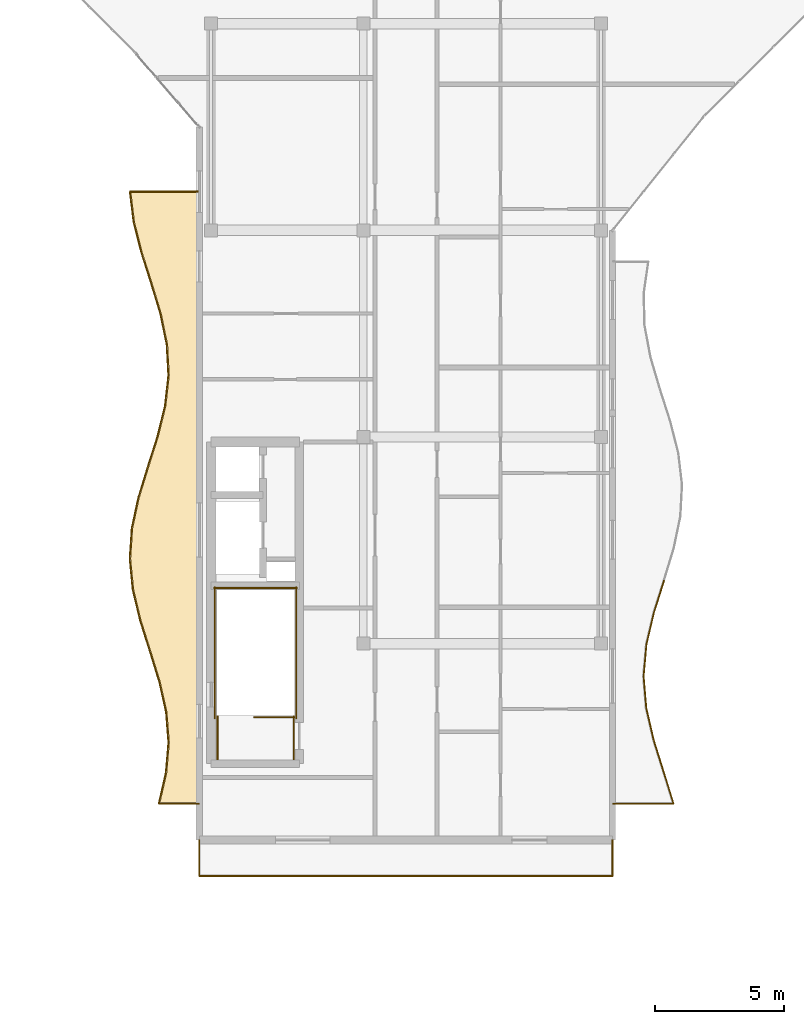
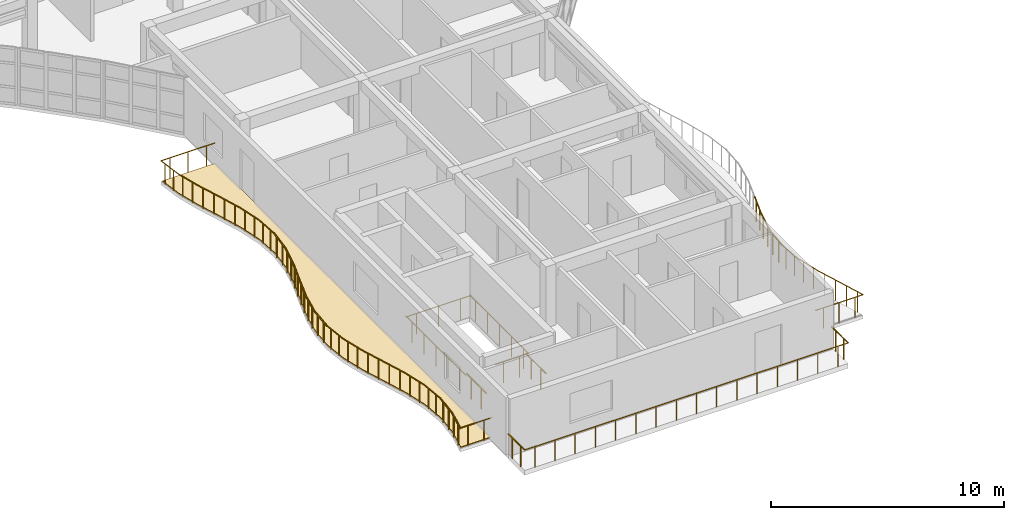
# One storey, part 23 of 30: 39 railings, 1 covering.
"""IFC4 building model written with IfcOpenShell, lengths in metres."""

from ifc_helpers import new_model, si_unit, direction, frame, origin, origin_2d, place, context, subcontext, project, spatial, polyline, circle, outline, extrude, material, layer, layer_set, type_object, element, save


model = new_model("IFC4")

# Units and contexts
model_context = context("Model", 3, precision=1e-05, world=origin(), true_north=direction((0.0, 1.0)))
body_context = subcontext(model_context, "Body", "Model", "MODEL_VIEW")
ifc_project = project(units=[si_unit("LENGTHUNIT", "METRE"), si_unit("AREAUNIT", "SQUARE_METRE"), si_unit("VOLUMEUNIT", "CUBIC_METRE"), si_unit("PLANEANGLEUNIT", "RADIAN"), si_unit("MASSUNIT", "GRAM", prefix="KILO")], contexts=[model_context])

# Site, building, storey
site_placement = place(None, origin())
site = spatial("IfcSite", under=ifc_project, at=site_placement, CompositionType="ELEMENT")
building_placement = place(site_placement, origin())
building = spatial("IfcBuilding", under=site, at=building_placement, Name="Keldmere Railside Commons", CompositionType="ELEMENT")
storey_placement = place(building_placement, frame((0.0, 0.0, 36.159912109375)))
storey = spatial("IfcBuildingStorey", under=building, at=storey_placement, Name="L11", CompositionType="ELEMENT", Elevation=36.159912109375)

# Railings
ifc_material_1 = material(Name="Steel F-24 (S235)", Category="steel")
railing_type_1 = type_object("IfcRailingType", Name="Balcony & Terrace Steel Balustrade 1100", PredefinedType="BALUSTRADE", material=ifc_material_1)
railing_1_placement = place(storey_placement, frame((120.0, 65.800048828125, 0.0)))
element("IfcRailing", 1, at=railing_1_placement, inside=storey, type_object=railing_type_1, Name="GR-1 GRD-L11-3090", PredefinedType="BALUSTRADE", context=body_context, shape_type="SweptSolid", body=[
    extrude(circle(Radius=0.02392578125, at=origin_2d()), frame((0.0, 0.0, 1.076171875), z_axis=(1.0, 0.0, 0.0), x_axis=(0.0, 1.0, 0.0)), (0.0, 0.0, 1.0), 2.357666015625),
    extrude(circle(Radius=0.02099609375, at=origin_2d()), frame((0.39306640625, 0.0, 0.0)), (0.0, 0.0, 1.0), 1.048095703125),
    extrude(circle(Radius=0.02099609375, at=origin_2d()), frame((1.1787109375, 0.0, 0.0)), (0.0, 0.0, 1.0), 1.048095703125),
    extrude(circle(Radius=0.02099609375, at=origin_2d()), frame((1.96484375, 0.0, 0.0)), (0.0, 0.0, 1.0), 1.048095703125),
])
railing_2_placement = place(storey_placement, frame((122.357666015625, 65.800048828125, 0.0)))
element("IfcRailing", 2, at=railing_2_placement, inside=storey, type_object=railing_type_1, Name="GR-1 GRD-L11-3091", PredefinedType="BALUSTRADE", context=body_context, shape_type="SweptSolid", body=[
    extrude(circle(Radius=0.02392578125, at=origin_2d()), frame((0.0, 0.0, 1.076171875), z_axis=(-0.29461664428, 0.955615525676, 0.0), x_axis=(-0.955615525676, -0.29461664428, 0.0)), (0.0, 0.0, 1.0), 1.292724609375),
    extrude(circle(Radius=0.02099609375, at=origin_2d()), frame((-0.09521484375, 0.308837890625, 0.0)), (0.0, 0.0, 1.0), 1.048095703125),
    extrude(circle(Radius=0.02099609375, at=origin_2d()), frame((-0.28564453125, 0.926513671875, 0.0)), (0.0, 0.0, 1.0), 1.048095703125),
])
railing_3_placement = place(storey_placement, frame((121.976806640625, 67.035400390625, 0.0)))
element("IfcRailing", 3, at=railing_3_placement, inside=storey, type_object=railing_type_1, Name="GR-1 GRD-L11-3092", PredefinedType="BALUSTRADE", context=body_context, shape_type="SweptSolid", body=[
    extrude(circle(Radius=0.02392578125, at=origin_2d()), frame((0.0, 0.0, 1.076171875), z_axis=(-0.300003106381, 0.9539382245, 0.0), x_axis=(-0.9539382245, -0.300003106381, 0.0)), (0.0, 0.0, 1.0), 1.294677734375),
    extrude(circle(Radius=0.02099609375, at=origin_2d()), frame((-0.09716796875, 0.308837890625, 0.0)), (0.0, 0.0, 1.0), 1.048095703125),
    extrude(circle(Radius=0.02099609375, at=origin_2d()), frame((-0.291259765625, 0.92626953125, 0.0)), (0.0, 0.0, 1.0), 1.048095703125),
])
railing_4_placement = place(storey_placement, frame((121.58837890625, 68.2705078125, 0.0)))
element("IfcRailing", 4, at=railing_4_placement, inside=storey, type_object=railing_type_1, Name="GR-1 GRD-L11-3093", PredefinedType="BALUSTRADE", context=body_context, shape_type="SweptSolid", body=[
    extrude(circle(Radius=0.02392578125, at=origin_2d()), frame((0.0, 0.0, 1.076171875), z_axis=(-0.225464124962, 0.9742514708, 0.0), x_axis=(-0.9742514708, -0.225464124962, 0.0)), (0.0, 0.0, 1.0), 1.26806640625),
    extrude(circle(Radius=0.02099609375, at=origin_2d()), frame((-0.071533203125, 0.308837890625, 0.0)), (0.0, 0.0, 1.0), 1.048095703125),
    extrude(circle(Radius=0.02099609375, at=origin_2d()), frame((-0.21435546875, 0.926513671875, 0.0)), (0.0, 0.0, 1.0), 1.048095703125),
])
railing_5_placement = place(storey_placement, frame((121.302490234375, 69.505859375, 0.0)))
element("IfcRailing", 5, at=railing_5_placement, inside=storey, type_object=railing_type_1, Name="GR-1 GRD-L11-3094", PredefinedType="BALUSTRADE", context=body_context, shape_type="SweptSolid", body=[
    extrude(circle(Radius=0.02392578125, at=origin_2d()), frame((0.0, 0.0, 1.076171875), z_axis=(-0.082719487283, 0.996572870604, 0.0), x_axis=(-0.996572870604, -0.082719487283, 0.0)), (0.0, 0.0, 1.0), 1.239501953125),
    extrude(circle(Radius=0.02099609375, at=origin_2d()), frame((-0.025634765625, 0.308837890625, 0.0)), (0.0, 0.0, 1.0), 1.048095703125),
    extrude(circle(Radius=0.02099609375, at=origin_2d()), frame((-0.076904296875, 0.926513671875, 0.0)), (0.0, 0.0, 1.0), 1.048095703125),
])
railing_6_placement = place(storey_placement, frame((121.199951171875, 70.7412109375, 0.0)))
element("IfcRailing", 6, at=railing_6_placement, inside=storey, type_object=railing_type_1, Name="GR-1 GRD-L11-3095", PredefinedType="BALUSTRADE", context=body_context, shape_type="SweptSolid", body=[
    extrude(circle(Radius=0.02392578125, at=origin_2d()), frame((0.0, 0.0, 1.076171875), z_axis=(0.088973785289, 0.996033968061, 0.0), x_axis=(-0.996033968061, 0.088973785289, 0.0)), (0.0, 0.0, 1.0), 1.240234375),
    extrude(circle(Radius=0.02099609375, at=origin_2d()), frame((0.027587890625, 0.308837890625, 0.0)), (0.0, 0.0, 1.0), 1.048095703125),
    extrude(circle(Radius=0.02099609375, at=origin_2d()), frame((0.082763671875, 0.926513671875, 0.0)), (0.0, 0.0, 1.0), 1.048095703125),
])
railing_7_placement = place(storey_placement, frame((121.310302734375, 71.9765625, 0.0)))
element("IfcRailing", 7, at=railing_7_placement, inside=storey, type_object=railing_type_1, Name="GR-1 GRD-L11-3096", PredefinedType="BALUSTRADE", context=body_context, shape_type="SweptSolid", body=[
    extrude(circle(Radius=0.02392578125, at=origin_2d()), frame((0.0, 0.0, 1.076171875), z_axis=(0.229843289324, 0.973227651864, 0.0), x_axis=(-0.973227651864, 0.229843289324, 0.0)), (0.0, 0.0, 1.0), 1.269287109375),
    extrude(circle(Radius=0.02099609375, at=origin_2d()), frame((0.072998046875, 0.308837890625, 0.0)), (0.0, 0.0, 1.0), 1.048095703125),
    extrude(circle(Radius=0.02099609375, at=origin_2d()), frame((0.21875, 0.926513671875, 0.0)), (0.0, 0.0, 1.0), 1.048095703125),
])
railing_8_placement = place(storey_placement, frame((121.60205078125, 73.2119140625, 0.0)))
element("IfcRailing", 8, at=railing_8_placement, inside=storey, type_object=railing_type_1, Name="GR-1 GRD-L11-3097", PredefinedType="BALUSTRADE", context=body_context, shape_type="SweptSolid", body=[
    extrude(circle(Radius=0.02392578125, at=origin_2d()), frame((0.0, 0.0, 1.076171875), z_axis=(0.301374906629, 0.953505723976, 0.0), x_axis=(-0.953505723976, 0.301374906629, 0.0)), (0.0, 0.0, 1.0), 1.29541015625),
    extrude(circle(Radius=0.02099609375, at=origin_2d()), frame((0.09765625, 0.308837890625, 0.0)), (0.0, 0.0, 1.0), 1.048095703125),
    extrude(circle(Radius=0.02099609375, at=origin_2d()), frame((0.292724609375, 0.92626953125, 0.0)), (0.0, 0.0, 1.0), 1.048095703125),
])
railing_9_placement = place(storey_placement, frame((104.0, 65.800048828125, 0.0)))
element("IfcRailing", 9, at=railing_9_placement, inside=storey, type_object=railing_type_1, Name="GR-1 GRD-L11-3109", PredefinedType="BALUSTRADE", context=body_context, shape_type="SweptSolid", body=[
    extrude(circle(Radius=0.02392578125, at=origin_2d()), frame((0.0, 0.0, 1.076171875), z_axis=(-1.0, 0.0, 0.0), x_axis=(0.0, -1.0, 0.0)), (0.0, 0.0, 1.0), 1.573974609375),
    extrude(circle(Radius=0.02099609375, at=origin_2d()), frame((-0.3935546875, 0.0, 0.0)), (0.0, 0.0, 1.0), 1.048095703125),
    extrude(circle(Radius=0.02099609375, at=origin_2d()), frame((-1.180419921875, 0.0, 0.0)), (0.0, 0.0, 1.0), 1.048095703125),
])
railing_10_placement = place(storey_placement, frame((102.426025390625, 65.800048828125, 0.0)))
element("IfcRailing", 10, at=railing_10_placement, inside=storey, type_object=railing_type_1, Name="GR-1 GRD-L11-3110", PredefinedType="BALUSTRADE", context=body_context, shape_type="SweptSolid", body=[
    extrude(circle(Radius=0.02392578125, at=origin_2d()), frame((0.0, 0.0, 1.076171875), z_axis=(0.223495395261, 0.974704985263, 0.0), x_axis=(-0.974704985263, 0.223495395261, 0.0)), (0.0, 0.0, 1.0), 1.2158203125),
    extrude(circle(Radius=0.02099609375, at=origin_2d()), frame((0.06787109375, 0.29638671875, 0.0)), (0.0, 0.0, 1.0), 1.048095703125),
    extrude(circle(Radius=0.02099609375, at=origin_2d()), frame((0.203857421875, 0.888671875, 0.0)), (0.0, 0.0, 1.0), 1.048095703125),
])
railing_11_placement = place(storey_placement, frame((102.69775390625, 66.985107421875, 0.0)))
element("IfcRailing", 11, at=railing_11_placement, inside=storey, type_object=railing_type_1, Name="GR-1 GRD-L11-3111", PredefinedType="BALUSTRADE", context=body_context, shape_type="SweptSolid", body=[
    extrude(circle(Radius=0.02392578125, at=origin_2d()), frame((0.0, 0.0, 1.076171875), z_axis=(0.086018338975, 0.996293553808, 0.0), x_axis=(-0.996293553808, 0.086018338975, 0.0)), (0.0, 0.0, 1.0), 1.189208984375),
    extrude(circle(Radius=0.02099609375, at=origin_2d()), frame((0.025634765625, 0.296142578125, 0.0)), (0.0, 0.0, 1.0), 1.048095703125),
    extrude(circle(Radius=0.02099609375, at=origin_2d()), frame((0.07666015625, 0.888671875, 0.0)), (0.0, 0.0, 1.0), 1.048095703125),
])
railing_12_placement = place(storey_placement, frame((102.800048828125, 68.169921875, 0.0)))
element("IfcRailing", 12, at=railing_12_placement, inside=storey, type_object=railing_type_1, Name="GR-1 GRD-L11-3112", PredefinedType="BALUSTRADE", context=body_context, shape_type="SweptSolid", body=[
    extrude(circle(Radius=0.02392578125, at=origin_2d()), frame((0.0, 0.0, 1.076171875), z_axis=(-0.078863617471, 0.996885414599, 0.0), x_axis=(-0.996885414599, -0.078863617471, 0.0)), (0.0, 0.0, 1.0), 1.188720703125),
    extrude(circle(Radius=0.02099609375, at=origin_2d()), frame((-0.0234375, 0.29638671875, 0.0)), (0.0, 0.0, 1.0), 1.048095703125),
    extrude(circle(Radius=0.02099609375, at=origin_2d()), frame((-0.0703125, 0.888671875, 0.0)), (0.0, 0.0, 1.0), 1.048095703125),
])
railing_13_placement = place(storey_placement, frame((102.706298828125, 69.35498046875, 0.0)))
element("IfcRailing", 13, at=railing_13_placement, inside=storey, type_object=railing_type_1, Name="GR-1 GRD-L11-3113", PredefinedType="BALUSTRADE", context=body_context, shape_type="SweptSolid", body=[
    extrude(circle(Radius=0.02392578125, at=origin_2d()), frame((0.0, 0.0, 1.076171875), z_axis=(-0.21852663374, 0.975830984519, 0.0), x_axis=(-0.975830984519, -0.21852663374, 0.0)), (0.0, 0.0, 1.0), 1.21435546875),
    extrude(circle(Radius=0.02099609375, at=origin_2d()), frame((-0.06640625, 0.29638671875, 0.0)), (0.0, 0.0, 1.0), 1.048095703125),
    extrude(circle(Radius=0.02099609375, at=origin_2d()), frame((-0.198974609375, 0.888671875, 0.0)), (0.0, 0.0, 1.0), 1.048095703125),
])
railing_14_placement = place(storey_placement, frame((102.44091796875, 70.5400390625, 0.0)))
element("IfcRailing", 14, at=railing_14_placement, inside=storey, type_object=railing_type_1, Name="GR-1 GRD-L11-3114", PredefinedType="BALUSTRADE", context=body_context, shape_type="SweptSolid", body=[
    extrude(circle(Radius=0.02392578125, at=origin_2d()), frame((0.0, 0.0, 1.076171875), z_axis=(-0.296324947714, 0.955087182074, 0.0), x_axis=(-0.955087182074, -0.296324947714, 0.0)), (0.0, 0.0, 1.0), 1.24072265625),
    extrude(circle(Radius=0.02099609375, at=origin_2d()), frame((-0.091796875, 0.29638671875, 0.0)), (0.0, 0.0, 1.0), 1.048095703125),
    extrude(circle(Radius=0.02099609375, at=origin_2d()), frame((-0.27587890625, 0.888671875, 0.0)), (0.0, 0.0, 1.0), 1.048095703125),
])
railing_15_placement = place(storey_placement, frame((102.0732421875, 71.72509765625, 0.0)))
element("IfcRailing", 15, at=railing_15_placement, inside=storey, type_object=railing_type_1, Name="GR-1 GRD-L11-3115", PredefinedType="BALUSTRADE", context=body_context, shape_type="SweptSolid", body=[
    extrude(circle(Radius=0.02392578125, at=origin_2d()), frame((0.0, 0.0, 1.076171875), z_axis=(-0.300679876283, 0.953725123921, 0.0), x_axis=(-0.953725123921, -0.300679876283, 0.0)), (0.0, 0.0, 1.0), 1.2421875),
    extrude(circle(Radius=0.02099609375, at=origin_2d()), frame((-0.09326171875, 0.296142578125, 0.0)), (0.0, 0.0, 1.0), 1.048095703125),
    extrude(circle(Radius=0.02099609375, at=origin_2d()), frame((-0.2802734375, 0.888671875, 0.0)), (0.0, 0.0, 1.0), 1.048095703125),
])
railing_16_placement = place(storey_placement, frame((101.69970703125, 72.909912109375, 0.0)))
element("IfcRailing", 16, at=railing_16_placement, inside=storey, type_object=railing_type_1, Name="GR-1 GRD-L11-3116", PredefinedType="BALUSTRADE", context=body_context, shape_type="SweptSolid", body=[
    extrude(circle(Radius=0.02392578125, at=origin_2d()), frame((0.0, 0.0, 1.076171875), z_axis=(-0.231485048052, 0.972838461682, 0.0), x_axis=(-0.972838461682, -0.231485048052, 0.0)), (0.0, 0.0, 1.0), 1.21826171875),
    extrude(circle(Radius=0.02099609375, at=origin_2d()), frame((-0.070556640625, 0.29638671875, 0.0)), (0.0, 0.0, 1.0), 1.048095703125),
    extrude(circle(Radius=0.02099609375, at=origin_2d()), frame((-0.21142578125, 0.888671875, 0.0)), (0.0, 0.0, 1.0), 1.048095703125),
])
railing_17_placement = place(storey_placement, frame((101.417724609375, 74.094970703125, 0.0)))
element("IfcRailing", 17, at=railing_17_placement, inside=storey, type_object=railing_type_1, Name="GR-1 GRD-L11-3117", PredefinedType="BALUSTRADE", context=body_context, shape_type="SweptSolid", body=[
    extrude(circle(Radius=0.02392578125, at=origin_2d()), frame((0.0, 0.0, 1.076171875), z_axis=(-0.098001449933, 0.995186271916, 0.0), x_axis=(-0.995186271916, -0.098001449933, 0.0)), (0.0, 0.0, 1.0), 1.190673828125),
    extrude(circle(Radius=0.02099609375, at=origin_2d()), frame((-0.029296875, 0.29638671875, 0.0)), (0.0, 0.0, 1.0), 1.048095703125),
    extrude(circle(Radius=0.02099609375, at=origin_2d()), frame((-0.08740234375, 0.888671875, 0.0)), (0.0, 0.0, 1.0), 1.048095703125),
])
railing_18_placement = place(storey_placement, frame((101.301025390625, 75.280029296875, 0.0)))
element("IfcRailing", 18, at=railing_18_placement, inside=storey, type_object=railing_type_1, Name="GR-1 GRD-L11-3118", PredefinedType="BALUSTRADE", context=body_context, shape_type="SweptSolid", body=[
    extrude(circle(Radius=0.02392578125, at=origin_2d()), frame((0.0, 0.0, 1.076171875), z_axis=(0.066600869776, 0.9977796972, 0.0), x_axis=(-0.9977796972, 0.066600869776, 0.0)), (0.0, 0.0, 1.0), 1.187744140625),
    extrude(circle(Radius=0.02099609375, at=origin_2d()), frame((0.019775390625, 0.29638671875, 0.0)), (0.0, 0.0, 1.0), 1.048095703125),
    extrude(circle(Radius=0.02099609375, at=origin_2d()), frame((0.059326171875, 0.888671875, 0.0)), (0.0, 0.0, 1.0), 1.048095703125),
])
railing_19_placement = place(storey_placement, frame((101.380126953125, 76.465087890625, 0.0)))
element("IfcRailing", 19, at=railing_19_placement, inside=storey, type_object=railing_type_1, Name="GR-1 GRD-L11-3119", PredefinedType="BALUSTRADE", context=body_context, shape_type="SweptSolid", body=[
    extrude(circle(Radius=0.02392578125, at=origin_2d()), frame((0.0, 0.0, 1.076171875), z_axis=(0.209735473086, 0.977758166077, 0.0), x_axis=(-0.977758166077, 0.209735473086, 0.0)), (0.0, 0.0, 1.0), 1.211669921875),
    extrude(circle(Radius=0.02099609375, at=origin_2d()), frame((0.0634765625, 0.296142578125, 0.0)), (0.0, 0.0, 1.0), 1.048095703125),
    extrude(circle(Radius=0.02099609375, at=origin_2d()), frame((0.190673828125, 0.888671875, 0.0)), (0.0, 0.0, 1.0), 1.048095703125),
])
railing_20_placement = place(storey_placement, frame((101.63427734375, 77.64990234375, 0.0)))
element("IfcRailing", 20, at=railing_20_placement, inside=storey, type_object=railing_type_1, Name="GR-1 GRD-L11-3120", PredefinedType="BALUSTRADE", context=body_context, shape_type="SweptSolid", body=[
    extrude(circle(Radius=0.02392578125, at=origin_2d()), frame((0.0, 0.0, 1.076171875), z_axis=(0.292909070562, 0.95614030162, 0.0), x_axis=(-0.95614030162, 0.292909070562, 0.0)), (0.0, 0.0, 1.0), 1.239501953125),
    extrude(circle(Radius=0.02099609375, at=origin_2d()), frame((0.0908203125, 0.29638671875, 0.0)), (0.0, 0.0, 1.0), 1.048095703125),
    extrude(circle(Radius=0.02099609375, at=origin_2d()), frame((0.272216796875, 0.888671875, 0.0)), (0.0, 0.0, 1.0), 1.048095703125),
])
railing_21_placement = place(storey_placement, frame((101.997314453125, 78.8349609375, 0.0)))
element("IfcRailing", 21, at=railing_21_placement, inside=storey, type_object=railing_type_1, Name="GR-1 GRD-L11-3121", PredefinedType="BALUSTRADE", context=body_context, shape_type="SweptSolid", body=[
    extrude(circle(Radius=0.02392578125, at=origin_2d()), frame((0.0, 0.0, 1.076171875), z_axis=(0.302944322271, 0.953008256839, 0.0), x_axis=(-0.953008256839, 0.302944322271, 0.0)), (0.0, 0.0, 1.0), 1.243408203125),
    extrude(circle(Radius=0.02099609375, at=origin_2d()), frame((0.09423828125, 0.29638671875, 0.0)), (0.0, 0.0, 1.0), 1.048095703125),
    extrude(circle(Radius=0.02099609375, at=origin_2d()), frame((0.282470703125, 0.888671875, 0.0)), (0.0, 0.0, 1.0), 1.048095703125),
])
railing_22_placement = place(storey_placement, frame((102.3740234375, 80.02001953125, 0.0)))
element("IfcRailing", 22, at=railing_22_placement, inside=storey, type_object=railing_type_1, Name="GR-1 GRD-L11-3122", PredefinedType="BALUSTRADE", context=body_context, shape_type="SweptSolid", body=[
    extrude(circle(Radius=0.02392578125, at=origin_2d()), frame((0.0, 0.0, 1.076171875), z_axis=(0.239239563926, 0.970960571317, 0.0), x_axis=(-0.970960571317, 0.239239563926, 0.0)), (0.0, 0.0, 1.0), 1.220458984375),
    extrude(circle(Radius=0.02099609375, at=origin_2d()), frame((0.072998046875, 0.29638671875, 0.0)), (0.0, 0.0, 1.0), 1.048095703125),
    extrude(circle(Radius=0.02099609375, at=origin_2d()), frame((0.218994140625, 0.888671875, 0.0)), (0.0, 0.0, 1.0), 1.048095703125),
])
railing_23_placement = place(storey_placement, frame((102.666015625, 81.205078125, 0.0)))
element("IfcRailing", 23, at=railing_23_placement, inside=storey, type_object=railing_type_1, Name="GR-1 GRD-L11-3123", PredefinedType="BALUSTRADE", context=body_context, shape_type="SweptSolid", body=[
    extrude(circle(Radius=0.02392578125, at=origin_2d()), frame((0.0, 0.0, 1.076171875), z_axis=(0.109981936076, 0.99393358618, 0.0), x_axis=(-0.99393358618, 0.109981936076, 0.0)), (0.0, 0.0, 1.0), 1.192138671875),
    extrude(circle(Radius=0.02099609375, at=origin_2d()), frame((0.03271484375, 0.296142578125, 0.0)), (0.0, 0.0, 1.0), 1.048095703125),
    extrude(circle(Radius=0.02099609375, at=origin_2d()), frame((0.098388671875, 0.888671875, 0.0)), (0.0, 0.0, 1.0), 1.048095703125),
])
railing_24_placement = place(storey_placement, frame((102.797119140625, 82.389892578125, 0.0)))
element("IfcRailing", 24, at=railing_24_placement, inside=storey, type_object=railing_type_1, Name="GR-1 GRD-L11-3124", PredefinedType="BALUSTRADE", context=body_context, shape_type="SweptSolid", body=[
    extrude(circle(Radius=0.02392578125, at=origin_2d()), frame((0.0, 0.0, 1.076171875), z_axis=(-0.054307869596, 0.998524238714, 0.0), x_axis=(-0.998524238714, -0.054307869596, 0.0)), (0.0, 0.0, 1.0), 1.186767578125),
    extrude(circle(Radius=0.02099609375, at=origin_2d()), frame((-0.01611328125, 0.29638671875, 0.0)), (0.0, 0.0, 1.0), 1.048095703125),
    extrude(circle(Radius=0.02099609375, at=origin_2d()), frame((-0.04833984375, 0.888671875, 0.0)), (0.0, 0.0, 1.0), 1.048095703125),
])
railing_25_placement = place(storey_placement, frame((102.732666015625, 83.574951171875, 0.0)))
element("IfcRailing", 25, at=railing_25_placement, inside=storey, type_object=railing_type_1, Name="GR-1 GRD-L11-3125", PredefinedType="BALUSTRADE", context=body_context, shape_type="SweptSolid", body=[
    extrude(circle(Radius=0.02392578125, at=origin_2d()), frame((0.0, 0.0, 1.076171875), z_axis=(-0.200616369977, 0.979669879142, 0.0), x_axis=(-0.979669879142, -0.200616369977, 0.0)), (0.0, 0.0, 1.0), 1.209716796875),
    extrude(circle(Radius=0.02099609375, at=origin_2d()), frame((-0.060546875, 0.29638671875, 0.0)), (0.0, 0.0, 1.0), 1.048095703125),
    extrude(circle(Radius=0.02099609375, at=origin_2d()), frame((-0.18212890625, 0.888671875, 0.0)), (0.0, 0.0, 1.0), 1.048095703125),
])
railing_26_placement = place(storey_placement, frame((102.489990234375, 84.760009765625, 0.0)))
element("IfcRailing", 26, at=railing_26_placement, inside=storey, type_object=railing_type_1, Name="GR-1 GRD-L11-3126", PredefinedType="BALUSTRADE", context=body_context, shape_type="SweptSolid", body=[
    extrude(circle(Radius=0.02392578125, at=origin_2d()), frame((0.0, 0.0, 1.076171875), z_axis=(-0.289120539423, 0.95729270011, 0.0), x_axis=(-0.95729270011, -0.289120539423, 0.0)), (0.0, 0.0, 1.0), 1.238037109375),
    extrude(circle(Radius=0.02099609375, at=origin_2d()), frame((-0.08935546875, 0.29638671875, 0.0)), (0.0, 0.0, 1.0), 1.048095703125),
    extrude(circle(Radius=0.02099609375, at=origin_2d()), frame((-0.2685546875, 0.888671875, 0.0)), (0.0, 0.0, 1.0), 1.048095703125),
])
railing_27_placement = place(storey_placement, frame((102.132080078125, 85.945068359375, 0.0)))
element("IfcRailing", 27, at=railing_27_placement, inside=storey, type_object=railing_type_1, Name="GR-1 GRD-L11-3127", PredefinedType="BALUSTRADE", context=body_context, shape_type="SweptSolid", body=[
    extrude(circle(Radius=0.02392578125, at=origin_2d()), frame((0.0, 0.0, 1.076171875), z_axis=(-0.304960855786, 0.952364886185, 0.0), x_axis=(-0.952364886185, -0.304960855786, 0.0)), (0.0, 0.0, 1.0), 1.244140625),
    extrude(circle(Radius=0.02099609375, at=origin_2d()), frame((-0.0947265625, 0.296142578125, 0.0)), (0.0, 0.0, 1.0), 1.048095703125),
    extrude(circle(Radius=0.02099609375, at=origin_2d()), frame((-0.28466796875, 0.888671875, 0.0)), (0.0, 0.0, 1.0), 1.048095703125),
])
railing_28_placement = place(storey_placement, frame((101.752685546875, 87.1298828125, 0.0)))
element("IfcRailing", 28, at=railing_28_placement, inside=storey, type_object=railing_type_1, Name="GR-1 GRD-L11-3128", PredefinedType="BALUSTRADE", context=body_context, shape_type="SweptSolid", body=[
    extrude(circle(Radius=0.02392578125, at=origin_2d()), frame((0.0, 0.0, 1.076171875), z_axis=(-0.246386064328, 0.969171763572, 0.0), x_axis=(-0.969171763572, -0.246386064328, 0.0)), (0.0, 0.0, 1.0), 1.22265625),
    extrude(circle(Radius=0.02099609375, at=origin_2d()), frame((-0.0751953125, 0.29638671875, 0.0)), (0.0, 0.0, 1.0), 1.048095703125),
    extrude(circle(Radius=0.02099609375, at=origin_2d()), frame((-0.22607421875, 0.888671875, 0.0)), (0.0, 0.0, 1.0), 1.048095703125),
])
railing_29_placement = place(storey_placement, frame((101.451416015625, 88.31494140625, 0.0)))
element("IfcRailing", 29, at=railing_29_placement, inside=storey, type_object=railing_type_1, Name="GR-1 GRD-L11-3129", PredefinedType="BALUSTRADE", context=body_context, shape_type="SweptSolid", body=[
    extrude(circle(Radius=0.02392578125, at=origin_2d()), frame((0.0, 0.0, 1.076171875), z_axis=(-0.12146718094, 0.992595448284, 0.0), x_axis=(-0.992595448284, -0.12146718094, 0.0)), (0.0, 0.0, 1.0), 1.19384765625),
    extrude(circle(Radius=0.02099609375, at=origin_2d()), frame((-0.0361328125, 0.29638671875, 0.0)), (0.0, 0.0, 1.0), 1.048095703125),
    extrude(circle(Radius=0.02099609375, at=origin_2d()), frame((-0.10888671875, 0.888671875, 0.0)), (0.0, 0.0, 1.0), 1.048095703125),
])
railing_30_placement = place(storey_placement, frame((101.306396484375, 89.5, 0.0)))
element("IfcRailing", 30, at=railing_30_placement, inside=storey, type_object=railing_type_1, Name="GR-1 GRD-L11-3130", PredefinedType="BALUSTRADE", context=body_context, shape_type="SweptSolid", body=[
    extrude(circle(Radius=0.02392578125, at=origin_2d()), frame((0.0, 0.0, 1.076171875), z_axis=(1.0, 0.0, 0.0), x_axis=(0.0, 1.0, 0.0)), (0.0, 0.0, 1.0), 2.693603515625),
    extrude(circle(Radius=0.02099609375, at=origin_2d()), frame((0.448974609375, 0.0, 0.0)), (0.0, 0.0, 1.0), 1.048095703125),
    extrude(circle(Radius=0.02099609375, at=origin_2d()), frame((1.3466796875, 0.0, 0.0)), (0.0, 0.0, 1.0), 1.048095703125),
    extrude(circle(Radius=0.02099609375, at=origin_2d()), frame((2.24462890625, 0.0, 0.0)), (0.0, 0.0, 1.0), 1.048095703125),
])
railing_31_placement = place(storey_placement, frame((104.0, 64.39990234375, 0.0)))
element("IfcRailing", 31, at=railing_31_placement, inside=storey, type_object=railing_type_1, Name="GR-1 GRD-L11-3153", PredefinedType="BALUSTRADE", context=body_context, shape_type="SweptSolid", body=[
    extrude(circle(Radius=0.02392578125, at=origin_2d()), frame((0.0, 0.0, 1.076171875), z_axis=(0.0, -1.0, 0.0), x_axis=(1.0, 0.0, 0.0)), (0.0, 0.0, 1.0), 1.39990234375),
    extrude(circle(Radius=0.02099609375, at=origin_2d()), frame((0.0, -0.35009765625, 0.0)), (0.0, 0.0, 1.0), 1.048095703125),
    extrude(circle(Radius=0.02099609375, at=origin_2d()), frame((0.0, -1.0498046875, 0.0)), (0.0, 0.0, 1.0), 1.048095703125),
])
railing_32_placement = place(storey_placement, frame((104.0, 63.0, 0.0)))
element("IfcRailing", 32, at=railing_32_placement, inside=storey, type_object=railing_type_1, Name="GR-1 GRD-L11-3154", PredefinedType="BALUSTRADE", context=body_context, shape_type="SweptSolid", body=[
    extrude(circle(Radius=0.02392578125, at=origin_2d()), frame((0.0, 0.0, 1.076171875), z_axis=(1.0, 0.0, 0.0), x_axis=(0.0, 1.0, 0.0)), (0.0, 0.0, 1.0), 16.0),
    extrude(circle(Radius=0.02099609375, at=origin_2d()), frame((0.5, 0.0, 0.0)), (0.0, 0.0, 1.0), 1.048095703125),
    extrude(circle(Radius=0.02099609375, at=origin_2d()), frame((1.5, 0.0, 0.0)), (0.0, 0.0, 1.0), 1.048095703125),
    extrude(circle(Radius=0.02099609375, at=origin_2d()), frame((2.5, 0.0, 0.0)), (0.0, 0.0, 1.0), 1.048095703125),
    extrude(circle(Radius=0.02099609375, at=origin_2d()), frame((3.5, 0.0, 0.0)), (0.0, 0.0, 1.0), 1.048095703125),
    extrude(circle(Radius=0.02099609375, at=origin_2d()), frame((4.5, 0.0, 0.0)), (0.0, 0.0, 1.0), 1.048095703125),
    extrude(circle(Radius=0.02099609375, at=origin_2d()), frame((5.5, 0.0, 0.0)), (0.0, 0.0, 1.0), 1.048095703125),
    extrude(circle(Radius=0.02099609375, at=origin_2d()), frame((6.5, 0.0, 0.0)), (0.0, 0.0, 1.0), 1.048095703125),
    extrude(circle(Radius=0.02099609375, at=origin_2d()), frame((7.5, 0.0, 0.0)), (0.0, 0.0, 1.0), 1.048095703125),
    extrude(circle(Radius=0.02099609375, at=origin_2d()), frame((8.5, 0.0, 0.0)), (0.0, 0.0, 1.0), 1.048095703125),
    extrude(circle(Radius=0.02099609375, at=origin_2d()), frame((9.5, 0.0, 0.0)), (0.0, 0.0, 1.0), 1.048095703125),
    extrude(circle(Radius=0.02099609375, at=origin_2d()), frame((10.5, 0.0, 0.0)), (0.0, 0.0, 1.0), 1.048095703125),
    extrude(circle(Radius=0.02099609375, at=origin_2d()), frame((11.5, 0.0, 0.0)), (0.0, 0.0, 1.0), 1.048095703125),
    extrude(circle(Radius=0.02099609375, at=origin_2d()), frame((12.5, 0.0, 0.0)), (0.0, 0.0, 1.0), 1.048095703125),
    extrude(circle(Radius=0.02099609375, at=origin_2d()), frame((13.5, 0.0, 0.0)), (0.0, 0.0, 1.0), 1.048095703125),
    extrude(circle(Radius=0.02099609375, at=origin_2d()), frame((14.5, 0.0, 0.0)), (0.0, 0.0, 1.0), 1.048095703125),
    extrude(circle(Radius=0.02099609375, at=origin_2d()), frame((15.5, 0.0, 0.0)), (0.0, 0.0, 1.0), 1.048095703125),
])
railing_33_placement = place(storey_placement, frame((120.0, 63.0, 0.0)))
element("IfcRailing", 33, at=railing_33_placement, inside=storey, type_object=railing_type_1, Name="GR-1 GRD-L11-3155", PredefinedType="BALUSTRADE", context=body_context, shape_type="SweptSolid", body=[
    extrude(circle(Radius=0.02392578125, at=origin_2d()), frame((0.0, 0.0, 1.076171875), z_axis=(0.0, 1.0, 0.0), x_axis=(-1.0, 0.0, 0.0)), (0.0, 0.0, 1.0), 1.39990234375),
    extrude(circle(Radius=0.02099609375, at=origin_2d()), frame((0.0, 0.35009765625, 0.0)), (0.0, 0.0, 1.0), 1.048095703125),
    extrude(circle(Radius=0.02099609375, at=origin_2d()), frame((0.0, 1.0498046875, 0.0)), (0.0, 0.0, 1.0), 1.048095703125),
])
railing_type_2 = type_object("IfcRailingType", Name="Stair Well Steel Guardrail 1100", PredefinedType="BALUSTRADE", material=ifc_material_1)
railing_34_placement = place(storey_placement, frame((107.699951171875, 69.14990234375, 0.0)))
element("IfcRailing", 34, at=railing_34_placement, inside=storey, type_object=railing_type_2, Name="L11 ST-B1 top well guard 1", PredefinedType="BALUSTRADE", context=body_context, shape_type="SweptSolid", body=[
    extrude(circle(Radius=0.02392578125, at=origin_2d()), frame((0.0, 0.0, 1.076171875), z_axis=(-1.0, 0.0, 0.0), x_axis=(0.0, -1.0, 0.0)), (0.0, 0.0, 1.0), 1.599853515625),
    extrude(circle(Radius=0.02099609375, at=origin_2d()), frame((-0.39990234375, 0.0, 0.0)), (0.0, 0.0, 1.0), 1.048095703125),
    extrude(circle(Radius=0.02099609375, at=origin_2d()), frame((-1.199951171875, 0.0, 0.0)), (0.0, 0.0, 1.0), 1.048095703125),
])
for number, where, name in (
    (35, (107.75, 69.10009765625, 0.0), "L11 ST-B1 top well guard 2"),
    (36, (104.60009765625, 69.10009765625, 0.0), "L11 ST-B1 top well guard 3"),
):
    element("IfcRailing", number, at=place(storey_placement, frame(where)), inside=storey, type_object=railing_type_2, Name=name, PredefinedType="BALUSTRADE", context=body_context, shape_type="SweptSolid", body=[
        extrude(circle(Radius=0.02392578125, at=origin_2d()), frame((0.0, 0.0, 1.076171875), z_axis=(0.0, 1.0, 0.0), x_axis=(-1.0, 0.0, 0.0)), (0.0, 0.0, 1.0), 5.099853515625),
        extrude(circle(Radius=0.02099609375, at=origin_2d()), frame((0.0, 0.510009765625, 0.0)), (0.0, 0.0, 1.0), 1.048095703125),
        extrude(circle(Radius=0.02099609375, at=origin_2d()), frame((0.0, 1.530029296875, 0.0)), (0.0, 0.0, 1.0), 1.048095703125),
        extrude(circle(Radius=0.02099609375, at=origin_2d()), frame((0.0, 2.5498046875, 0.0)), (0.0, 0.0, 1.0), 1.048095703125),
        extrude(circle(Radius=0.02099609375, at=origin_2d()), frame((0.0, 3.56982421875, 0.0)), (0.0, 0.0, 1.0), 1.048095703125),
        extrude(circle(Radius=0.02099609375, at=origin_2d()), frame((0.0, 4.58984375, 0.0)), (0.0, 0.0, 1.0), 1.048095703125),
    ])
railing_35_placement = place(storey_placement, frame((107.800048828125, 74.14990234375, 0.0)))
element("IfcRailing", 37, at=railing_35_placement, inside=storey, type_object=railing_type_2, Name="L11 ST-B1 top well guard 4", PredefinedType="BALUSTRADE", context=body_context, shape_type="SweptSolid", body=[
    extrude(circle(Radius=0.02392578125, at=origin_2d()), frame((0.0, 0.0, 1.076171875), z_axis=(-1.0, 0.0, 0.0), x_axis=(0.0, -1.0, 0.0)), (0.0, 0.0, 1.0), 3.25),
    extrude(circle(Radius=0.02099609375, at=origin_2d()), frame((-0.541748046875, 0.0, 0.0)), (0.0, 0.0, 1.0), 1.048095703125),
    extrude(circle(Radius=0.02099609375, at=origin_2d()), frame((-1.625, 0.0, 0.0)), (0.0, 0.0, 1.0), 1.048095703125),
    extrude(circle(Radius=0.02099609375, at=origin_2d()), frame((-2.708251953125, 0.0, 0.0)), (0.0, 0.0, 1.0), 1.048095703125),
])
for number, where, name in (
    (38, (107.64990234375, 67.5, 0.0), "L11 ST-B1 top well guard 5"),
    (39, (104.699951171875, 67.5, 0.0), "L11 ST-B1 top well guard 6"),
):
    element("IfcRailing", number, at=place(storey_placement, frame(where)), inside=storey, type_object=railing_type_2, Name=name, PredefinedType="BALUSTRADE", context=body_context, shape_type="SweptSolid", body=[
        extrude(circle(Radius=0.02392578125, at=origin_2d()), frame((0.0, 0.0, 1.076171875), z_axis=(0.0, 1.0, 0.0), x_axis=(-1.0, 0.0, 0.0)), (0.0, 0.0, 1.0), 1.699951171875),
        extrude(circle(Radius=0.02099609375, at=origin_2d()), frame((0.0, 0.425048828125, 0.0)), (0.0, 0.0, 1.0), 1.048095703125),
        extrude(circle(Radius=0.02099609375, at=origin_2d()), frame((0.0, 1.27490234375, 0.0)), (0.0, 0.0, 1.0), 1.048095703125),
    ])

# Covering
ifc_material_2 = material(Name="White Precast Concrete C35/45", Category="concrete")
ifc_layer = layer(ifc_material_2, 0.044921875, Name="White Architectural Balcony Ribbon Cladding 45")
ifc_layer_set = layer_set([ifc_layer], Name="White Precast Concrete C35/45")
covering_type = type_object("IfcCoveringType", Name="White Architectural Balcony Ribbon Cladding 45", PredefinedType="FLOORING", material=ifc_layer_set)
covering_placement = place(storey_placement, origin())
element("IfcCovering", 40, at=covering_placement, inside=storey, type_object=covering_type, Name="CLG-WB B L11 CW White Balcony Ribbon", PredefinedType="FLOORING", context=body_context, shape_type="SweptSolid", body=[
    extrude(outline(polyline([(103.9599609375, 89.4599609375), (101.3515625, 89.4599609375), (101.49072265625, 88.322509765625), (101.791259765625, 87.14111328125), (102.170166015625, 85.957275390625), (102.17041015625, 85.95654296875), (102.5283203125, 84.771484375), (102.529052734375, 84.76806640625), (102.771728515625, 83.5830078125), (102.772216796875, 83.580078125), (102.7724609375, 83.5771484375), (102.8369140625, 82.39208984375), (102.8369140625, 82.388916015625), (102.8369140625, 82.385498046875), (102.705810546875, 81.20068359375), (102.704833984375, 81.1953125), (102.412841796875, 80.010498046875), (102.412109375, 80.0078125), (102.035400390625, 78.822998046875), (101.673095703125, 77.639892578125), (101.419921875, 76.45947265625), (101.341064453125, 75.280517578125), (101.457275390625, 74.1015625), (101.73828125, 72.920654296875), (102.111328125, 71.737060546875), (102.111572265625, 71.73681640625), (102.47900390625, 70.5517578125), (102.479736328125, 70.548583984375), (102.7451171875, 69.36376953125), (102.74609375, 69.358154296875), (102.83984375, 68.173095703125), (102.840087890625, 68.169921875), (102.83984375, 68.16650390625), (102.737548828125, 66.981689453125), (102.73681640625, 66.97607421875), (102.476318359375, 65.840087890625), (103.9599609375, 65.840087890625), (103.9599609375, 89.4599609375)])), origin(), (0.0, 0.0, 1.0), 0.045166015625),
])

save(model, "model.ifc")
